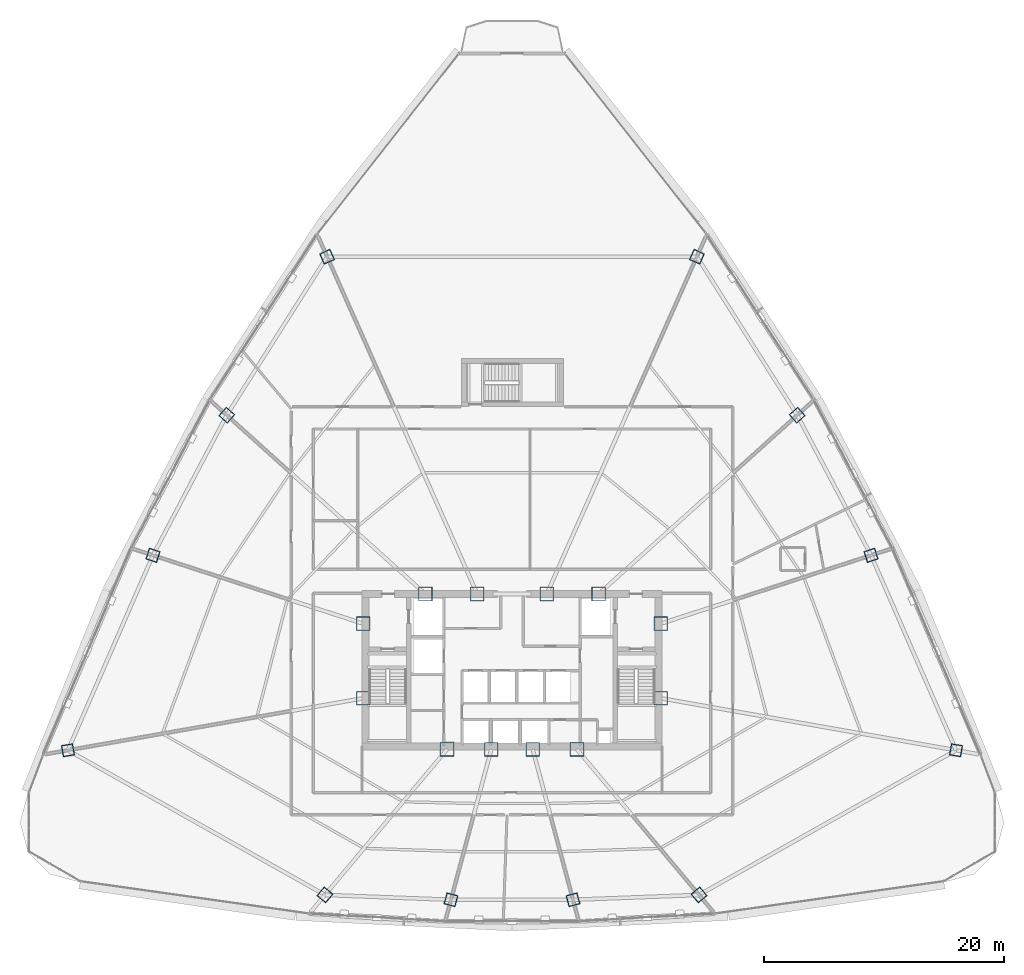
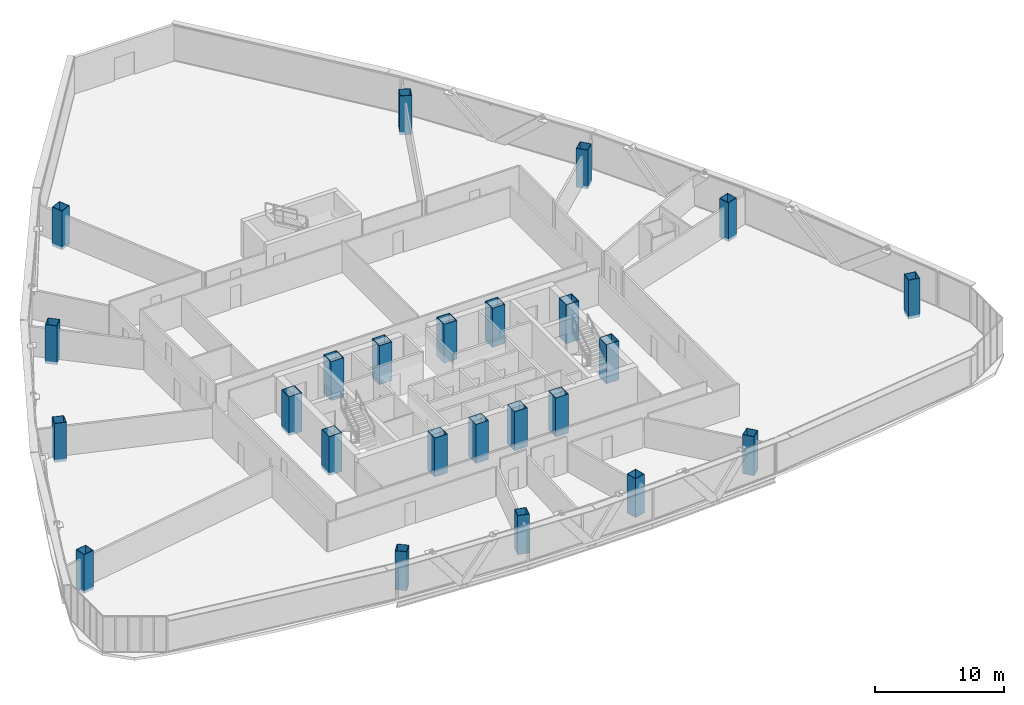
# One storey, part 1 of 42: 24 columns.
"""IFC4 building model written with IfcOpenShell, lengths in metres."""

import ifcopenshell
import ifcopenshell.guid

model = None  # the IFC model being written
_history = None  # IfcOwnerHistory: only IFC2X3 demands one
_inside = {}  # id of a spatial element -> (the spatial element, [elements in it])
_under = {}  # id of a project, library or spatial element -> (it, [spatial elements below it])
_declared = {}  # id of a project -> (the project, [libraries it declares])
_typed = {}  # id of a type object -> (the type object, [elements of that type])
_made_of = {}  # id of a material, layer set ... -> (it, [elements and type objects made of it])


def new_model(schema):
    """Start an empty IFC model of exactly this schema.

    Asked for "IFC4X3", IfcOpenShell would pick the latest addendum, in which some entities
    have other attributes; the version numbers below select the first issue.
    IFC2X3 requires an IfcOwnerHistory on every rooted entity: one is made here for all.
    """
    global model, _history
    if schema == "IFC4X3":
        model = ifcopenshell.file(schema_version=(4, 3, 0, 0))
    else:
        model = ifcopenshell.file(schema=schema)
    _inside.clear()
    _under.clear()
    _declared.clear()
    _typed.clear()
    _made_of.clear()
    _history = None
    if model.schema == "IFC2X3":
        org = make("IfcOrganization", Name="unknown")
        user = make(
            "IfcPersonAndOrganization",
            ThePerson=make("IfcPerson", FamilyName="unknown"),
            TheOrganization=org,
        )
        app = make(
            "IfcApplication",
            ApplicationDeveloper=org,
            Version="unknown",
            ApplicationFullName="unknown",
            ApplicationIdentifier="unknown",
        )
        _history = make(
            "IfcOwnerHistory",
            OwningUser=user,
            OwningApplication=app,
            ChangeAction="ADDED",
            CreationDate=0,
        )
    return model


def make(cls, **values):
    """One entity of the class cls with the attributes given. An attribute that is None is left unset."""
    return model.create_entity(
        cls, **{name: value for name, value in values.items() if value is not None}
    )


def rooted(cls, **values):
    """An entity with a GlobalId (a new one), such as an element, a storey or a relation."""
    return make(cls, GlobalId=ifcopenshell.guid.new(), OwnerHistory=_history, **values)


def si_unit(unit_type, name, prefix=None):
    """IfcSIUnit, for example si_unit("LENGTHUNIT", "METRE", prefix="MILLI")."""
    return make("IfcSIUnit", UnitType=unit_type, Prefix=prefix, Name=name)


def assignment(units):
    """IfcUnitAssignment: the units of a project."""
    return None if units is None else make("IfcUnitAssignment", Units=units)


def point(xyz):
    """IfcCartesianPoint."""
    return None if xyz is None else make("IfcCartesianPoint", Coordinates=xyz)


def direction(xyz):
    """IfcDirection."""
    return None if xyz is None else make("IfcDirection", DirectionRatios=xyz)


def frame(location, z_axis=None, x_axis=None):
    """IfcAxis2Placement3D, a coordinate frame: its origin and axes. An axis left out is left unset."""
    return make(
        "IfcAxis2Placement3D",
        Location=point(location),
        Axis=direction(z_axis),
        RefDirection=direction(x_axis),
    )


def frame_2d(location, x_axis=None):
    """IfcAxis2Placement2D, a coordinate frame in the plane: its origin and x axis."""
    return make(
        "IfcAxis2Placement2D", Location=point(location), RefDirection=direction(x_axis)
    )


def origin():
    """The frame at (0, 0, 0) with its axes left unset."""
    return frame((0.0, 0.0, 0.0))


def origin_2d():
    """The frame at (0, 0) in the plane with its x axis left unset."""
    return frame_2d((0.0, 0.0))


def place(relative_to, where):
    """IfcLocalPlacement: puts the frame where relative to a parent placement (None: the world)."""
    return make(
        "IfcLocalPlacement", PlacementRelTo=relative_to, RelativePlacement=where
    )


def context(
    kind, dimensions, precision=None, world=None, true_north=None, identifier=None
):
    """IfcGeometricRepresentationContext, for example the 3D "Model" context."""
    return make(
        "IfcGeometricRepresentationContext",
        ContextIdentifier=identifier,
        ContextType=kind,
        CoordinateSpaceDimension=dimensions,
        Precision=precision,
        WorldCoordinateSystem=world,
        TrueNorth=true_north,
    )


def subcontext(parent, identifier, kind, view, scale=None):
    """IfcGeometricRepresentationSubContext, for example "Body" below "Model"."""
    return make(
        "IfcGeometricRepresentationSubContext",
        ContextIdentifier=identifier,
        ContextType=kind,
        ParentContext=parent,
        TargetScale=scale,
        TargetView=view,
    )


def project(units=None, contexts=None):
    """IfcProject with its units and contexts."""
    return rooted(
        "IfcProject",
        Name="project",
        RepresentationContexts=contexts,
        UnitsInContext=assignment(units),
    )


def spatial(cls, under=None, at=None, **own):
    """A site, building, storey or space (cls), placed at a placement, below another one or the project."""
    s = rooted(cls, ObjectPlacement=at, **own)
    if under is not None:
        _under.setdefault(under.id(), (under, []))[1].append(s)
    return s


def profile(cls, at=None, kind="AREA", **sizes):
    """A parametric profile (cls). Its sizes go by their IFC names, for example OverallWidth=200.0."""
    return make(cls, ProfileType=kind, Position=at, **sizes)


def hollow_rectangle(**sizes):
    """IfcRectangleHollowProfileDef."""
    return profile("IfcRectangleHollowProfileDef", **sizes)


def extrude(swept, where, along, depth):
    """IfcExtrudedAreaSolid: the profile swept, set in the frame where, extruded along a direction by depth."""
    return make(
        "IfcExtrudedAreaSolid",
        SweptArea=swept,
        Position=where,
        ExtrudedDirection=direction(along),
        Depth=depth,
    )


def shape(context_of_items, identifier, shape_type, items):
    """IfcShapeRepresentation: the items that make up one representation, for example the "Body"."""
    return make(
        "IfcShapeRepresentation",
        ContextOfItems=context_of_items,
        RepresentationIdentifier=identifier,
        RepresentationType=shape_type,
        Items=items,
    )


def source(mapping_origin, context_of_items, identifier, shape_type, items):
    """IfcRepresentationMap: a shape defined once, which mapped items show again and again."""
    return make(
        "IfcRepresentationMap",
        MappingOrigin=mapping_origin,
        MappedRepresentation=shape(context_of_items, identifier, shape_type, items),
    )


def transform(
    local_origin,
    x_axis=None,
    y_axis=None,
    z_axis=None,
    scale=None,
    scale2=None,
    scale3=None,
    uniform=True,
):
    """IfcCartesianTransformationOperator3D, or its non-uniform kind. x_axis, y_axis, z_axis: its Axis1, 2, 3."""
    if uniform:
        return make(
            "IfcCartesianTransformationOperator3D",
            Axis1=direction(x_axis),
            Axis2=direction(y_axis),
            LocalOrigin=point(local_origin),
            Scale=scale,
            Axis3=direction(z_axis),
        )
    return make(
        "IfcCartesianTransformationOperator3DnonUniform",
        Axis1=direction(x_axis),
        Axis2=direction(y_axis),
        LocalOrigin=point(local_origin),
        Scale=scale,
        Axis3=direction(z_axis),
        Scale2=scale2,
        Scale3=scale3,
    )


def mapped(mapping_source, mapping_target):
    """IfcMappedItem: shows the shape of a source again, moved by a transform."""
    return make(
        "IfcMappedItem", MappingSource=mapping_source, MappingTarget=mapping_target
    )


def material(Name=None, Category=None):
    """IfcMaterial."""
    return make("IfcMaterial", Name=Name, Category=Category)


def material_profile(
    of_material, cross_section, Name=None, Category=None, Priority=None
):
    """IfcMaterialProfile: a cross section and its material."""
    return make(
        "IfcMaterialProfile",
        Name=Name,
        Material=of_material,
        Profile=cross_section,
        Priority=Priority,
        Category=Category,
    )


def profile_set(profiles, Name=None, composite=None):
    """IfcMaterialProfileSet."""
    return make(
        "IfcMaterialProfileSet",
        Name=Name,
        MaterialProfiles=profiles,
        CompositeProfile=composite,
    )


def made_of(thing, what):
    """Note that an element or type object is made of a material, layer set ...; save() writes the relation."""
    if what is not None:
        _made_of.setdefault(what.id(), (what, []))[1].append(thing)
    return thing


def type_object(cls, material=None, **own):
    """A type object (cls), such as IfcWallType, which elements share."""
    return made_of(rooted(cls, **own), material)


def element(
    cls,
    number,
    at=None,
    inside=None,
    cuts=None,
    type_object=None,
    material=None,
    context=None,
    identifier="Body",
    shape_type=None,
    held_by="IfcProductDefinitionShape",
    body=None,
    shapes=None,
    **own,
):
    """One element of the class cls, such as IfcWall. Its Tag is "e" and its number.

    at: its placement. inside: the storey or other place that contains it. cuts: it is an
    opening in that element (IfcRelVoidsElement). A single representation is given by context,
    identifier, shape_type and body (its items); several are given by shapes. held_by: the class
    of the entity that holds the representations. save() writes the other relations.
    """
    e = rooted(cls, Tag="e%d" % number, ObjectPlacement=at, **own)
    if body is not None:
        shapes = [shape(context, identifier, shape_type, body)]
    if shapes is not None:
        e.Representation = make(held_by, Representations=shapes)
    if inside is not None:
        _inside.setdefault(inside.id(), (inside, []))[1].append(e)
    if cuts is not None:
        rooted(
            "IfcRelVoidsElement", RelatingBuildingElement=cuts, RelatedOpeningElement=e
        )
    if type_object is not None:
        _typed.setdefault(type_object.id(), (type_object, []))[1].append(e)
    return made_of(e, material)


def aggregate(whole, parts):
    """IfcRelAggregates: a whole, such as a stair, and the parts it consists of."""
    return rooted("IfcRelAggregates", RelatingObject=whole, RelatedObjects=parts)


def save(model, path):
    """Write the relations noted so far, then the file.

    IfcRelAggregates (storeys below a building ...), IfcRelContainedInSpatialStructure (elements
    in a storey), IfcRelDefinesByType, IfcRelAssociatesMaterial and IfcRelDeclares: one each for
    every whole, place, type object, material and project.
    """
    for whole, parts in _under.values():
        aggregate(whole, parts)
    for where, things in _inside.values():
        rooted(
            "IfcRelContainedInSpatialStructure",
            RelatedElements=things,
            RelatingStructure=where,
        )
    for kind, things in _typed.values():
        rooted("IfcRelDefinesByType", RelatedObjects=things, RelatingType=kind)
    for what, things in _made_of.values():
        rooted("IfcRelAssociatesMaterial", RelatedObjects=things, RelatingMaterial=what)
    for by, libraries in _declared.values():
        rooted("IfcRelDeclares", RelatingContext=by, RelatedDefinitions=libraries)
    model.write(path)


model = new_model("IFC4")

# Units and contexts
model_context = context("Model", 3, precision=1e-05, world=origin(), true_north=direction((0.0, 1.0)))
body_context = subcontext(model_context, "Body", "Model", "MODEL_VIEW")
ifc_project = project(units=[si_unit("LENGTHUNIT", "METRE"), si_unit("AREAUNIT", "SQUARE_METRE"), si_unit("VOLUMEUNIT", "CUBIC_METRE"), si_unit("PLANEANGLEUNIT", "RADIAN"), si_unit("MASSUNIT", "GRAM", prefix="KILO"), si_unit("THERMODYNAMICTEMPERATUREUNIT", "KELVIN"), si_unit("POWERUNIT", "WATT")], contexts=[model_context])

# Site, building, storey
site_placement = place(None, origin())
site = spatial("IfcSite", under=ifc_project, at=site_placement, CompositionType="ELEMENT")
building_placement = place(site_placement, origin())
building = spatial("IfcBuilding", under=site, at=building_placement, Name="Yunzhuo Pagoda Commons", CompositionType="ELEMENT")
storey_placement = place(building_placement, frame((0.0, 0.0, 137.18994140625)))
storey = spatial("IfcBuildingStorey", under=building, at=storey_placement, Name="L34", CompositionType="ELEMENT", Elevation=137.18994140625)

# Columns
ifc_material = material(Name="Structural steel Q420B", Category="steel")
ifc_material_profile_1 = material_profile(ifc_material, hollow_rectangle(XDim=1.14990234375, YDim=1.14990234375, WallThickness=0.048095703125, at=origin_2d()), Name="Structural steel Q420B")
ifc_profile_set_1 = profile_set([ifc_material_profile_1], Name="Structural steel Q420B")
column_type_1 = type_object("IfcColumnType", Name="C-COR Column BOX 1150x1150x48", PredefinedType="COLUMN", material=ifc_profile_set_1)
shared_shape_1 = source(origin(), body_context, "Body", "SweptSolid", [
    extrude(hollow_rectangle(XDim=1.14990234375, YDim=1.14990234375, WallThickness=0.048095703125, at=origin_2d()), origin(), (0.0, 0.0, 1.0), 3.68017578125),
])
for number, where, z_axis, x_axis, name in (
    (1, (42.587890625, 27.25, -0.260009765625), (0.0, 0.0, 1.0), (1.0, 0.0, 0.0), "L34 core composite column F1C1"),
    (2, (46.27197265625, 27.25, -0.260009765625), (0.0, 0.0, 1.0), (1.0, 0.0, 0.0), "L34 core composite column F1C2"),
    (3, (49.728515625, 27.25, -0.260009765625), (0.0, 0.0, 1.0), (1.0, 0.0, 0.0), "L34 core composite column F1C3"),
    (4, (53.412109375, 27.25, -0.260009765625), (0.0, 0.0, 1.0), (1.0, 0.0, 0.0), "L34 core composite column F1C4"),
    (5, (60.39990234375, 31.513427734375, -0.260009765625), (0.0, 0.0, 1.0), (1.0, 0.0, 0.0), "L34 core composite column F2C1"),
    (6, (60.39990234375, 37.72900390625, -0.260009765625), (0.0, 0.0, 1.0), (1.0, 0.0, 0.0), "L34 core composite column F2C2"),
    (7, (55.218994140625, 40.199951171875, -0.260009765625), (0.0, 0.0, 1.0), (1.0, 0.0, 0.0), "L34 core composite column F2C3"),
    (8, (50.89404296875, 40.199951171875, -0.260009765625), (0.0, 0.0, 1.0), (1.0, 0.0, 0.0), "L34 core composite column F2C4"),
    (9, (45.10595703125, 40.199951171875, -0.260009765625), (0.0, 0.0, 1.0), (1.0, 0.0, 0.0), "L34 core composite column F3C1"),
    (10, (40.781005859375, 40.199951171875, -0.260009765625), (0.0, 0.0, 1.0), (1.0, 0.0, 0.0), "L34 core composite column F3C2"),
    (11, (35.60009765625, 37.72900390625, -0.260009765625), (0.0, 0.0, 1.0), (1.0, 0.0, 0.0), "L34 core composite column F3C3"),
    (12, (35.60009765625, 31.513427734375, -0.260009765625), (0.0, 0.0, 1.0), (1.0, 0.0, 0.0), "L34 core composite column F3C4"),
):
    element("IfcColumn", number, at=place(storey_placement, frame(where, z_axis=z_axis, x_axis=x_axis)), inside=storey, type_object=column_type_1, Name=name, PredefinedType="COLUMN", context=body_context, shape_type="MappedRepresentation", body=[
        mapped(shared_shape_1, transform((0.0, 0.0, 0.0), scale=1.0)),
    ])
ifc_material_profile_2 = material_profile(ifc_material, hollow_rectangle(XDim=0.949951171875, YDim=0.949951171875, WallThickness=0.0400390625, at=origin_2d()), Name="Structural steel Q420B")
ifc_profile_set_2 = profile_set([ifc_material_profile_2], Name="Structural steel Q420B")
column_type_2 = type_object("IfcColumnType", Name="C-Z3 Column BOX 950x950x40", PredefinedType="COLUMN", material=ifc_profile_set_2)
shared_shape_2 = source(origin(), body_context, "Body", "SweptSolid", [
    extrude(hollow_rectangle(XDim=0.949951171875, YDim=0.949951171875, WallThickness=0.0400390625, at=origin_2d()), origin(), (0.0, 0.0, 1.0), 3.68017578125),
])
for number, where, z_axis, x_axis, name in (
    (13, (32.414794921875, 15.126220703125, -0.260009765625), (0.0, 0.0, 1.0), (0.766044443119, -0.642787609687, 0.0), "L34 tower column F1C1"),
    (14, (42.914794921875, 14.7216796875, -0.260009765625), (0.0, 0.0, 1.0), (0.965925826289, -0.258819045103, 0.0), "L34 tower column F1C2"),
    (15, (53.085205078125, 14.7216796875, -0.260009765625), (0.0, 0.0, 1.0), (0.965925826289, 0.258819045103, 0.0), "L34 tower column F1C3"),
    (16, (63.585205078125, 15.126220703125, -0.260009765625), (0.0, 0.0, 1.0), (0.766044443119, 0.642787609687, 0.0), "L34 tower column F1C4"),
    (17, (84.9970703125, 27.176513671875, -0.260009765625), (0.0, 0.0, 1.0), (0.173648177667, 0.984807753012, 0.0), "L34 tower column F2C1"),
    (18, (77.915283203125, 43.420166015625, -0.260009765625), (0.0, 0.0, 1.0), (-0.309016994375, 0.951056516295, 0.0), "L34 tower column F2C2"),
    (19, (71.76611328125, 55.09912109375, -0.260009765625), (0.0, 0.0, 1.0), (-0.669130606359, 0.743144825477, 0.0), "L34 tower column F2C3"),
    (20, (63.406005859375, 68.302734375, -0.260009765625), (0.0, 0.0, 1.0), (-0.913545457643, 0.406736643076, 0.0), "L34 tower column F2C4"),
    (21, (32.593994140625, 68.302734375, -0.260009765625), (0.0, 0.0, 1.0), (-0.913545457643, -0.406736643076, 0.0), "L34 tower column F3C1"),
    (22, (24.23388671875, 55.09912109375, -0.260009765625), (0.0, 0.0, 1.0), (-0.669130606359, -0.743144825477, 0.0), "L34 tower column F3C2"),
    (23, (18.084716796875, 43.420166015625, -0.260009765625), (0.0, 0.0, 1.0), (-0.309016994375, -0.951056516295, 0.0), "L34 tower column F3C3"),
    (24, (11.0029296875, 27.176513671875, -0.260009765625), (0.0, 0.0, 1.0), (0.173648177667, -0.984807753012, 0.0), "L34 tower column F3C4"),
):
    element("IfcColumn", number, at=place(storey_placement, frame(where, z_axis=z_axis, x_axis=x_axis)), inside=storey, type_object=column_type_2, Name=name, PredefinedType="COLUMN", context=body_context, shape_type="MappedRepresentation", body=[
        mapped(shared_shape_2, transform((0.0, 0.0, 0.0), scale=1.0)),
    ])

save(model, "model.ifc")
